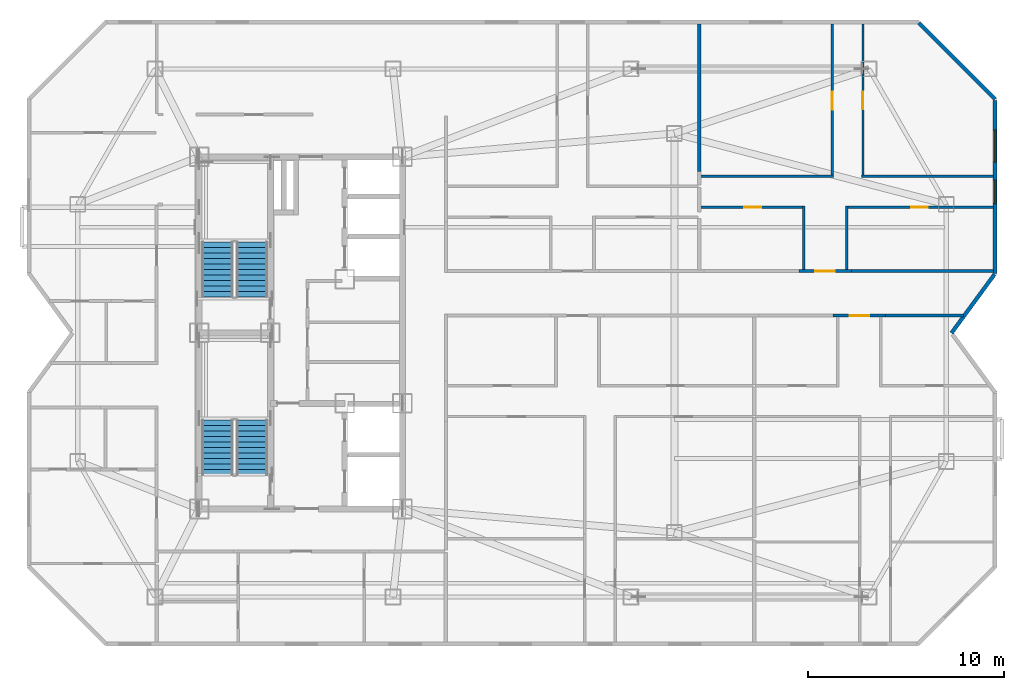
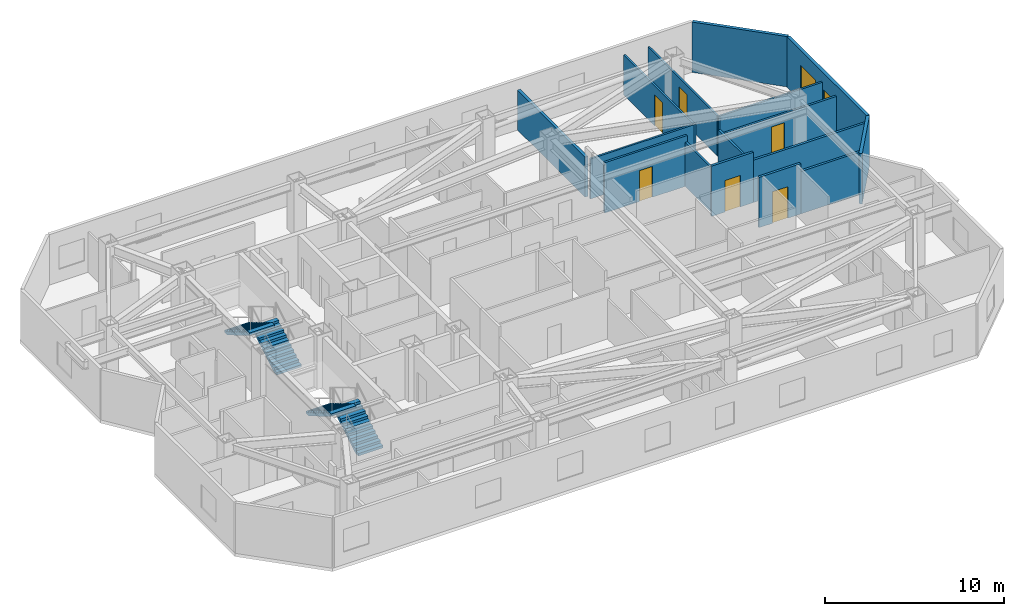
# One storey, part 8 of 9: 16 walls, 6 doors, 4 stair flights, 2 windows, 8 openings, 2 elements without a shape of their own.
"""IFC4 building model written with IfcOpenShell, lengths in metres."""

from ifc_helpers import new_model, si_unit, direction, frame, frame_2d, origin, place, context, subcontext, project, spatial, polyline, rectangle, outline, extrude, material, layer, layer_set, type_object, element, fill, aggregate, save


model = new_model("IFC4")

# Units and contexts
model_context = context("Model", 3, precision=1e-05, world=origin(), true_north=direction((0.0, 1.0)))
body_context = subcontext(model_context, "Body", "Model", "MODEL_VIEW")
ifc_project = project(units=[si_unit("LENGTHUNIT", "METRE"), si_unit("AREAUNIT", "SQUARE_METRE"), si_unit("VOLUMEUNIT", "CUBIC_METRE"), si_unit("PLANEANGLEUNIT", "RADIAN"), si_unit("MASSUNIT", "GRAM", prefix="KILO")], contexts=[model_context])

# Site, building, storey
site_placement = place(None, origin())
site = spatial("IfcSite", under=ifc_project, at=site_placement, CompositionType="ELEMENT")
building_placement = place(site_placement, origin())
building = spatial("IfcBuilding", under=site, at=building_placement, Name="Khamvora Tower", CompositionType="ELEMENT")
storey_placement = place(building_placement, frame((0.0, 0.0, 235.449951171875)))
storey = spatial("IfcBuildingStorey", under=building, at=storey_placement, Name="L60", CompositionType="ELEMENT", Elevation=235.449951171875)

# Wall, opening, door
ifc_material_1 = material(Name="Fire-Rated Drywall and Steel Stud", Category="steel")
ifc_layer_1 = layer(ifc_material_1, 0.14990234375)
ifc_layer_set_1 = layer_set([ifc_layer_1], Name="Fire-Rated Drywall and Steel Stud")
wall_type_1 = type_object("IfcWallType", Name="WAL-CORR-150", PredefinedType="STANDARD", material=ifc_layer_set_1)
wall_1_placement = place(storey_placement, frame((64.10693359375, 28.885009765625, 0.0), z_axis=(0.0, 0.0, 1.0), x_axis=(-1.0, 0.0, 0.0)))
wall_1 = element("IfcWall", 1, at=wall_1_placement, inside=storey, type_object=wall_type_1, Name="L60 interior partition wall 027", PredefinedType="STANDARD", context=body_context, shape_type="SweptSolid", body=[
    extrude(rectangle(XDim=2.698974609375, YDim=0.14990234375, at=frame_2d((1.349609375, 0.0))), origin(), (0.0, 0.0, 1.0), 3.429931640625),
])
opening_1_placement = place(wall_1_placement, frame((0.85009765625, 0.0, 0.0)))
opening_1 = element("IfcOpeningElement", 2, at=opening_1_placement, cuts=wall_1, Name="Opening D-U1", PredefinedType="OPENING", context=body_context, shape_type="SweptSolid", body=[
    extrude(rectangle(XDim=1.0, YDim=2.14990234375, at=frame_2d((0.5, 1.074951171875))), frame((0.0, 0.0849609375, 0.0), z_axis=(0.0, -1.0, 0.0), x_axis=(1.0, 0.0, 0.0)), (0.0, 0.0, 1.0), 0.169921875),
])
ifc_material_2 = material(Name="Powder-Coated Steel and Hardwood Leaf", Category="steel")
door_type_1 = type_object("IfcDoorType", Name="DOR-UNIT-1000", OperationType="NOTDEFINED", PredefinedType="DOOR", material=ifc_material_2)
door_1_placement = place(opening_1_placement, origin())
door_1 = element("IfcDoor", 3, at=door_1_placement, inside=storey, type_object=door_type_1, Name="L60 interior door COR-60EBH", OperationType="SINGLE_SWING_RIGHT", OverallHeight=2.14990234375, OverallWidth=1.0, PredefinedType="DOOR", context=body_context, shape_type="SweptSolid", body=[
    extrude(rectangle(XDim=1.0, YDim=2.14990234375, at=frame_2d((0.5, 1.074951171875))), frame((0.0, 0.02490234375, 0.0), z_axis=(0.0, -1.0, 0.0), x_axis=(1.0, 0.0, 0.0)), (0.0, 0.0, 1.0), 0.050048828125),
])
fill(opening_1, door_1)

# Wall
wall_2_placement = place(storey_placement, frame((68.095947265625, 28.885009765625, 0.0), z_axis=(0.0, 0.0, 1.0), x_axis=(-1.0, 0.0, 0.0)))
element("IfcWall", 4, at=wall_2_placement, inside=storey, type_object=wall_type_1, Name="L60 interior partition wall 029", PredefinedType="STANDARD", context=body_context, shape_type="SweptSolid", body=[
    extrude(rectangle(XDim=3.989013671875, YDim=0.14990234375, at=frame_2d((1.99462890625, 0.0))), origin(), (0.0, 0.0, 1.0), 2.886962890625),
])

# Wall, opening, door
wall_3_placement = place(storey_placement, frame((59.660888671875, 31.1650390625, 0.0), z_axis=(0.0, 0.0, 1.0), x_axis=(1.0, 0.0, 0.0)))
wall_3 = element("IfcWall", 5, at=wall_3_placement, inside=storey, type_object=wall_type_1, Name="L60 interior partition wall 036", PredefinedType="STANDARD", context=body_context, shape_type="SweptSolid", body=[
    extrude(rectangle(XDim=2.697998046875, YDim=0.14990234375, at=frame_2d((1.34912109375, 0.0))), origin(), (0.0, 0.0, 1.0), 3.429931640625),
])
opening_2_placement = place(wall_3_placement, frame((0.84912109375, 0.0, 0.0)))
opening_2 = element("IfcOpeningElement", 6, at=opening_2_placement, cuts=wall_3, Name="Opening D-U1", PredefinedType="OPENING", context=body_context, shape_type="SweptSolid", body=[
    extrude(rectangle(XDim=1.0, YDim=2.14990234375, at=frame_2d((0.5, 1.074951171875))), frame((0.0, 0.0849609375, 0.0), z_axis=(0.0, -1.0, 0.0), x_axis=(1.0, 0.0, 0.0)), (0.0, 0.0, 1.0), 0.169921875),
])
door_2_placement = place(opening_2_placement, origin())
door_2 = element("IfcDoor", 7, at=door_2_placement, inside=storey, type_object=door_type_1, Name="L60 interior door COR-60EC2H", OperationType="SINGLE_SWING_RIGHT", OverallHeight=2.14990234375, OverallWidth=1.0, PredefinedType="DOOR", context=body_context, shape_type="SweptSolid", body=[
    extrude(rectangle(XDim=1.0, YDim=2.14990234375, at=frame_2d((0.5, 1.074951171875))), frame((0.0, 0.02490234375, 0.0), z_axis=(0.0, -1.0, 0.0), x_axis=(1.0, 0.0, 0.0)), (0.0, 0.0, 1.0), 0.050048828125),
])
fill(opening_2, door_2)

# Walls
wall_4_placement = place(storey_placement, frame((62.35888671875, 31.1650390625, 0.0), z_axis=(0.0, 0.0, 1.0), x_axis=(1.0, 0.0, 0.0)))
element("IfcWall", 8, at=wall_4_placement, inside=storey, type_object=wall_type_1, Name="L60 interior partition wall 038", PredefinedType="STANDARD", context=body_context, shape_type="SweptSolid", body=[
    extrude(rectangle(XDim=7.2490234375, YDim=0.14990234375, at=frame_2d((3.62451171875, 0.0))), origin(), (0.0, 0.0, 1.0), 2.886962890625),
])
ifc_material_3 = material(Name="Acoustic Double-Stud Fire Wall", Category="gypsum")
ifc_layer_2 = layer(ifc_material_3, 0.179931640625)
ifc_layer_set_2 = layer_set([ifc_layer_2], Name="Acoustic Double-Stud Fire Wall")
wall_type_2 = type_object("IfcWallType", Name="WAL-CORR-180", PredefinedType="STANDARD", material=ifc_layer_set_2)
wall_5_placement = place(storey_placement, frame((54.56494140625, 43.80810546875, 0.0), z_axis=(0.0, 0.0, 1.0), x_axis=(0.0, -1.0, 0.0)))
element("IfcWall", 9, at=wall_5_placement, inside=storey, type_object=wall_type_2, Name="L60 interior partition wall 096", PredefinedType="STANDARD", context=body_context, shape_type="SweptSolid", body=[
    extrude(rectangle(XDim=7.55517578125, YDim=0.179931640625, at=frame_2d((3.777587890625, 0.0))), origin(), (0.0, 0.0, 1.0), 2.72509765625),
])
ifc_material_4 = material(Name="Precast concrete C40/50", Category="concrete")
ifc_layer_3 = layer(ifc_material_4, 0.199951171875)
ifc_layer_set_3 = layer_set([ifc_layer_3], Name="Precast concrete C40/50")
wall_type_3 = type_object("IfcWallType", Name="WAL-EXT-200", PredefinedType="STANDARD", material=ifc_layer_set_3)
wall_6_placement = place(storey_placement, frame((65.802001953125, 43.85693359375, 0.0), z_axis=(0.0, 0.0, 1.0), x_axis=(0.707106781187, -0.707106781187, 0.0)))
element("IfcWall", 10, at=wall_6_placement, inside=storey, type_object=wall_type_3, Name="L60 exterior facade wall 08.1", PredefinedType="STANDARD", context=body_context, shape_type="SweptSolid", body=[
    extrude(rectangle(XDim=5.512451171875, YDim=0.199951171875, at=frame_2d((2.75634765625, 0.0))), origin(), (0.0, 0.0, 1.0), 3.429931640625),
])

# Wall, openings, windows
wall_7_placement = place(storey_placement, frame((69.699951171875, 39.89599609375, 0.0), z_axis=(0.0, 0.0, 1.0), x_axis=(0.0, -1.0, 0.0)))
wall_7 = element("IfcWall", 11, at=wall_7_placement, inside=storey, type_object=wall_type_3, Name="L60 exterior facade wall 09.1", PredefinedType="STANDARD", context=body_context, shape_type="SweptSolid", body=[
    extrude(rectangle(XDim=8.863037109375, YDim=0.199951171875, at=frame_2d((4.431640625, 0.0))), origin(), (0.0, 0.0, 1.0), 3.429931640625),
])
opening_3_placement = place(wall_7_placement, frame((4.08203125, 0.0, 0.800048828125)))
opening_3 = element("IfcOpeningElement", 12, at=opening_3_placement, cuts=wall_7, Name="Opening WN-03", PredefinedType="OPENING", context=body_context, shape_type="SweptSolid", body=[
    extrude(rectangle(XDim=1.199951171875, YDim=1.5, at=frame_2d((0.60009765625, 0.75))), frame((0.0, 0.10986328125, 0.0), z_axis=(0.0, -1.0, 0.0), x_axis=(1.0, 0.0, 0.0)), (0.0, 0.0, 1.0), 0.219970703125),
])
opening_4_placement = place(wall_7_placement, frame((1.512939453125, 0.0, 0.85009765625)))
opening_4 = element("IfcOpeningElement", 13, at=opening_4_placement, cuts=wall_7, Name="Opening WN-06", PredefinedType="OPENING", context=body_context, shape_type="SweptSolid", body=[
    extrude(rectangle(XDim=1.64990234375, YDim=1.550048828125, at=frame_2d((0.824951171875, 0.77490234375))), frame((0.0, 0.10986328125, 0.0), z_axis=(0.0, -1.0, 0.0), x_axis=(1.0, 0.0, 0.0)), (0.0, 0.0, 1.0), 0.219970703125),
])
ifc_material_5 = material(Name="Low-E Laminated Double Glazing", Category="glass")
window_type_1 = type_object("IfcWindowType", Name="WIN-VIS-1200x1500", PartitioningType="SINGLE_PANEL", PredefinedType="WINDOW", material=ifc_material_5)
window_1_placement = place(opening_3_placement, origin())
window_1 = element("IfcWindow", 14, at=window_1_placement, inside=storey, type_object=window_type_1, Name="L60 vision window 09.1.01", OverallHeight=1.5, OverallWidth=1.199951171875, PartitioningType="SINGLE_PANEL", PredefinedType="WINDOW", context=body_context, shape_type="SweptSolid", body=[
    extrude(rectangle(XDim=1.199951171875, YDim=1.5, at=frame_2d((0.60009765625, 0.75))), frame((0.0, 0.030029296875, 0.0), z_axis=(0.0, -1.0, 0.0), x_axis=(1.0, 0.0, 0.0)), (0.0, 0.0, 1.0), 0.06005859375),
])
fill(opening_3, window_1)
window_type_2 = type_object("IfcWindowType", Name="WIN-VIS-1650x1550", PartitioningType="SINGLE_PANEL", PredefinedType="WINDOW", material=ifc_material_5)
window_2_placement = place(opening_4_placement, origin())
window_2 = element("IfcWindow", 15, at=window_2_placement, inside=storey, type_object=window_type_2, Name="L60 vision window 09.1.02", OverallHeight=1.550048828125, OverallWidth=1.64990234375, PartitioningType="SINGLE_PANEL", PredefinedType="WINDOW", context=body_context, shape_type="SweptSolid", body=[
    extrude(rectangle(XDim=1.64990234375, YDim=1.550048828125, at=frame_2d((0.824951171875, 0.77490234375))), frame((0.0, 0.030029296875, 0.0), z_axis=(0.0, -1.0, 0.0), x_axis=(1.0, 0.0, 0.0)), (0.0, 0.0, 1.0), 0.06005859375),
])
fill(opening_4, window_2)

# Walls
wall_8_placement = place(storey_placement, frame((69.669921875, 30.991943359375, 0.0), z_axis=(0.0, 0.0, 1.0), x_axis=(-0.591320870733, -0.806436375566, 0.0)))
element("IfcWall", 16, at=wall_8_placement, inside=storey, type_object=wall_type_3, Name="L60 exterior facade wall 10.1", PredefinedType="STANDARD", context=body_context, shape_type="SweptSolid", body=[
    extrude(rectangle(XDim=3.7099609375, YDim=0.199951171875, at=frame_2d((1.85498046875, 0.0))), origin(), (0.0, 0.0, 1.0), 3.429931640625),
])
ifc_material_6 = material(Name="Gypsum Plasterboard Partition", Category="gypsum")
ifc_layer_4 = layer(ifc_material_6, 0.1201171875)
ifc_layer_set_4 = layer_set([ifc_layer_4], Name="Gypsum Plasterboard Partition")
wall_type_4 = type_object("IfcWallType", Name="WAL-PART-120", PredefinedType="PARTITIONING", material=ifc_layer_set_4)
wall_9_placement = place(storey_placement, frame((54.64697265625, 36.00390625, 0.0), z_axis=(0.0, 0.0, 1.0), x_axis=(1.0, 0.0, 0.0)))
element("IfcWall", 17, at=wall_9_placement, inside=storey, type_object=wall_type_4, Name="L60 interior partition wall 101", PredefinedType="PARTITIONING", context=body_context, shape_type="SweptSolid", body=[
    extrude(rectangle(XDim=6.79296875, YDim=0.1201171875, at=frame_2d((3.396484375, 0.0))), origin(), (0.0, 0.0, 1.0), 2.72509765625),
])

# Wall, opening, door
wall_10_placement = place(storey_placement, frame((61.375, 35.93896484375, 0.0), z_axis=(0.0, 0.0, 1.0), x_axis=(0.0, 1.0, 0.0)))
wall_10 = element("IfcWall", 18, at=wall_10_placement, inside=storey, type_object=wall_type_4, Name="L60 interior partition wall 102", PredefinedType="PARTITIONING", context=body_context, shape_type="SweptSolid", body=[
    extrude(rectangle(XDim=7.869140625, YDim=0.1201171875, at=frame_2d((3.9345703125, 0.0))), origin(), (0.0, 0.0, 1.0), 2.72509765625),
])
opening_5_placement = place(wall_10_placement, frame((3.48388671875, 0.0, 0.0)))
opening_5 = element("IfcOpeningElement", 19, at=opening_5_placement, cuts=wall_10, Name="Opening D-RM1", PredefinedType="OPENING", context=body_context, shape_type="SweptSolid", body=[
    extrude(rectangle(XDim=0.89990234375, YDim=2.10009765625, at=frame_2d((0.449951171875, 1.050048828125))), frame((0.0, 0.070068359375, 0.0), z_axis=(0.0, -1.0, 0.0), x_axis=(1.0, 0.0, 0.0)), (0.0, 0.0, 1.0), 0.14013671875),
])
door_type_2 = type_object("IfcDoorType", Name="DOR-ROOM-900", OperationType="NOTDEFINED", PredefinedType="DOOR", material=ifc_material_2)
door_3_placement = place(opening_5_placement, origin())
door_3 = element("IfcDoor", 20, at=door_3_placement, inside=storey, type_object=door_type_2, Name="L60 interior door 60EC2H-60EC2R1", OperationType="SINGLE_SWING_RIGHT", OverallHeight=2.10009765625, OverallWidth=0.89990234375, PredefinedType="DOOR", context=body_context, shape_type="SweptSolid", body=[
    extrude(rectangle(XDim=0.89990234375, YDim=2.10009765625, at=frame_2d((0.449951171875, 1.050048828125))), frame((0.0, 0.02490234375, 0.0), z_axis=(0.0, -1.0, 0.0), x_axis=(1.0, 0.0, 0.0)), (0.0, 0.0, 1.0), 0.050048828125),
])
fill(opening_5, door_3)

wall_11_placement = place(storey_placement, frame((62.945068359375, 43.80810546875, 0.0), z_axis=(0.0, 0.0, 1.0), x_axis=(0.0, -1.0, 0.0)))
wall_11 = element("IfcWall", 21, at=wall_11_placement, inside=storey, type_object=wall_type_4, Name="L60 interior partition wall 103", PredefinedType="PARTITIONING", context=body_context, shape_type="SweptSolid", body=[
    extrude(rectangle(XDim=7.869140625, YDim=0.1201171875, at=frame_2d((3.9345703125, 0.0))), origin(), (0.0, 0.0, 1.0), 2.72509765625),
])
opening_6_placement = place(wall_11_placement, frame((3.48388671875, 0.0, 0.0)))
opening_6 = element("IfcOpeningElement", 22, at=opening_6_placement, cuts=wall_11, Name="Opening D-RM1", PredefinedType="OPENING", context=body_context, shape_type="SweptSolid", body=[
    extrude(rectangle(XDim=0.89990234375, YDim=2.10009765625, at=frame_2d((0.449951171875, 1.050048828125))), frame((0.0, 0.070068359375, 0.0), z_axis=(0.0, -1.0, 0.0), x_axis=(1.0, 0.0, 0.0)), (0.0, 0.0, 1.0), 0.14013671875),
])
door_4_placement = place(opening_6_placement, origin())
door_4 = element("IfcDoor", 23, at=door_4_placement, inside=storey, type_object=door_type_2, Name="L60 interior door 60EC2H-60EC2R2", OperationType="SINGLE_SWING_RIGHT", OverallHeight=2.10009765625, OverallWidth=0.89990234375, PredefinedType="DOOR", context=body_context, shape_type="SweptSolid", body=[
    extrude(rectangle(XDim=0.89990234375, YDim=2.10009765625, at=frame_2d((0.449951171875, 1.050048828125))), frame((0.0, 0.02490234375, 0.0), z_axis=(0.0, -1.0, 0.0), x_axis=(1.0, 0.0, 0.0)), (0.0, 0.0, 1.0), 0.050048828125),
])
fill(opening_6, door_4)

# Walls
wall_12_placement = place(storey_placement, frame((62.8798828125, 36.00390625, 0.0), z_axis=(0.0, 0.0, 1.0), x_axis=(1.0, 0.0, 0.0)))
element("IfcWall", 24, at=wall_12_placement, inside=storey, type_object=wall_type_4, Name="L60 interior partition wall 104", PredefinedType="PARTITIONING", context=body_context, shape_type="SweptSolid", body=[
    extrude(rectangle(XDim=6.72802734375, YDim=0.1201171875, at=frame_2d((3.364013671875, 0.0))), origin(), (0.0, 0.0, 1.0), 2.72509765625),
])
ifc_material_7 = material(Name="Moisture-Resistant Plasterboard Partition", Category="gypsum")
ifc_layer_5 = layer(ifc_material_7, 0.135009765625)
ifc_layer_set_5 = layer_set([ifc_layer_5], Name="Moisture-Resistant Plasterboard Partition")
wall_type_5 = type_object("IfcWallType", Name="WAL-WET-135", PredefinedType="PARTITIONING", material=ifc_layer_set_5)
wall_13_placement = place(storey_placement, frame((59.909912109375, 31.22998046875, 0.0), z_axis=(0.0, 0.0, 1.0), x_axis=(0.0, 1.0, 0.0)))
element("IfcWall", 25, at=wall_13_placement, inside=storey, type_object=wall_type_5, Name="L60 interior partition wall 097", PredefinedType="PARTITIONING", context=body_context, shape_type="SweptSolid", body=[
    extrude(rectangle(XDim=3.259033203125, YDim=0.135009765625, at=frame_2d((1.62939453125, 0.0))), origin(), (0.0, 0.0, 1.0), 3.012939453125),
])

# Wall, opening, door
wall_14_placement = place(storey_placement, frame((59.97509765625, 34.424072265625, 0.0), z_axis=(0.0, 0.0, 1.0), x_axis=(-1.0, 0.0, 0.0)))
wall_14 = element("IfcWall", 26, at=wall_14_placement, inside=storey, type_object=wall_type_5, Name="L60 interior partition wall 098", PredefinedType="PARTITIONING", context=body_context, shape_type="SweptSolid", body=[
    extrude(rectangle(XDim=5.328125, YDim=0.135009765625, at=frame_2d((2.6640625, 0.0))), origin(), (0.0, 0.0, 1.0), 3.429931640625),
])
opening_7_placement = place(wall_14_placement, frame((2.239013671875, 0.0, 0.0)))
opening_7 = element("IfcOpeningElement", 27, at=opening_7_placement, cuts=wall_14, Name="Opening D-WC1", PredefinedType="OPENING", context=body_context, shape_type="SweptSolid", body=[
    extrude(rectangle(XDim=0.85009765625, YDim=2.10009765625, at=frame_2d((0.425048828125, 1.050048828125))), frame((0.0, 0.077392578125, 0.0), z_axis=(0.0, -1.0, 0.0), x_axis=(1.0, 0.0, 0.0)), (0.0, 0.0, 1.0), 0.155029296875),
])
door_type_3 = type_object("IfcDoorType", Name="DOR-WET-850", OperationType="NOTDEFINED", PredefinedType="DOOR", material=ifc_material_2)
door_5_placement = place(opening_7_placement, origin())
door_5 = element("IfcDoor", 28, at=door_5_placement, inside=storey, type_object=door_type_3, Name="L60 interior door 60EC2H-60EC2B", OperationType="SINGLE_SWING_RIGHT", OverallHeight=2.10009765625, OverallWidth=0.85009765625, PredefinedType="DOOR", context=body_context, shape_type="SweptSolid", body=[
    extrude(rectangle(XDim=0.85009765625, YDim=2.10009765625, at=frame_2d((0.425048828125, 1.050048828125))), frame((0.0, 0.02490234375, 0.0), z_axis=(0.0, -1.0, 0.0), x_axis=(1.0, 0.0, 0.0)), (0.0, 0.0, 1.0), 0.050048828125),
])
fill(opening_7, door_5)

wall_15_placement = place(storey_placement, frame((69.60791015625, 34.424072265625, 0.0), z_axis=(0.0, 0.0, 1.0), x_axis=(-1.0, 0.0, 0.0)))
wall_15 = element("IfcWall", 29, at=wall_15_placement, inside=storey, type_object=wall_type_5, Name="L60 interior partition wall 099", PredefinedType="PARTITIONING", context=body_context, shape_type="SweptSolid", body=[
    extrude(rectangle(XDim=7.56298828125, YDim=0.135009765625, at=frame_2d((3.781494140625, 0.0))), origin(), (0.0, 0.0, 1.0), 2.72509765625),
])
opening_8_placement = place(wall_15_placement, frame((3.35693359375, 0.0, 0.0)))
opening_8 = element("IfcOpeningElement", 30, at=opening_8_placement, cuts=wall_15, Name="Opening D-RM2", PredefinedType="OPENING", context=body_context, shape_type="SweptSolid", body=[
    extrude(rectangle(XDim=0.85009765625, YDim=2.10009765625, at=frame_2d((0.425048828125, 1.050048828125))), frame((0.0, 0.077392578125, 0.0), z_axis=(0.0, -1.0, 0.0), x_axis=(1.0, 0.0, 0.0)), (0.0, 0.0, 1.0), 0.155029296875),
])
door_type_4 = type_object("IfcDoorType", Name="DOR-ROOM-850", OperationType="NOTDEFINED", PredefinedType="DOOR", material=ifc_material_2)
door_6_placement = place(opening_8_placement, origin())
door_6 = element("IfcDoor", 31, at=door_6_placement, inside=storey, type_object=door_type_4, Name="L60 interior door 60EC2H-60EC2K", OperationType="SINGLE_SWING_RIGHT", OverallHeight=2.10009765625, OverallWidth=0.85009765625, PredefinedType="DOOR", context=body_context, shape_type="SweptSolid", body=[
    extrude(rectangle(XDim=0.85009765625, YDim=2.10009765625, at=frame_2d((0.425048828125, 1.050048828125))), frame((0.0, 0.02490234375, 0.0), z_axis=(0.0, -1.0, 0.0), x_axis=(1.0, 0.0, 0.0)), (0.0, 0.0, 1.0), 0.050048828125),
])
fill(opening_8, door_6)

# Wall
wall_16_placement = place(storey_placement, frame((62.110107421875, 34.489013671875, 0.0), z_axis=(0.0, 0.0, 1.0), x_axis=(0.0, -1.0, 0.0)))
element("IfcWall", 32, at=wall_16_placement, inside=storey, type_object=wall_type_5, Name="L60 interior partition wall 100", PredefinedType="PARTITIONING", context=body_context, shape_type="SweptSolid", body=[
    extrude(rectangle(XDim=3.259033203125, YDim=0.135009765625, at=frame_2d((1.62939453125, 0.0))), origin(), (0.0, 0.0, 1.0), 3.012939453125),
])

# Stair, stair flights
ifc_material_8 = material(Name="Concrete C40/50", Category="concrete")
stair_type_1 = type_object("IfcStairType", Name="STR-ST-01", PredefinedType="HALF_TURN_STAIR", material=ifc_material_8)
stair_1_placement = place(storey_placement, origin())
stair_1 = element("IfcStair", 33, at=stair_1_placement, inside=storey, type_object=stair_type_1, Name="L60 South Tower Exit Stair ST-01", PredefinedType="HALF_TURN_STAIR")
stair_flight_type_1 = type_object("IfcStairFlightType", Name="STF-ST-01", PredefinedType="STRAIGHT", material=ifc_material_8)
stair_flight_1_placement = place(storey_placement, frame((31.699951171875, 20.75, 0.0), z_axis=(0.0, 0.0, 1.0), x_axis=(0.0, 1.0, 0.0)))
stair_flight_1 = element("IfcStairFlight", 34, at=stair_flight_1_placement, type_object=stair_flight_type_1, Name="ST-01 flight 1", NumberOfRisers=11, NumberOfTreads=10, PredefinedType="STRAIGHT", RiserHeight=0.165909091, TreadLength=0.28, context=body_context, shape_type="SweptSolid", body=[
    extrude(outline(polyline([(0.0, 0.0), (0.0, 0.166015625), (0.280029296875, 0.166015625), (0.280029296875, 0.331787109375), (0.56005859375, 0.331787109375), (0.56005859375, 0.497802734375), (0.840087890625, 0.497802734375), (0.840087890625, 0.66357421875), (1.1201171875, 0.66357421875), (1.1201171875, 0.82958984375), (1.39990234375, 0.82958984375), (1.39990234375, 0.995361328125), (1.679931640625, 0.995361328125), (1.679931640625, 1.161376953125), (1.9599609375, 1.161376953125), (1.9599609375, 1.327392578125), (2.239990234375, 1.327392578125), (2.239990234375, 1.4931640625), (2.52001953125, 1.4931640625), (2.52001953125, 1.6591796875), (2.800048828125, 1.6591796875), (2.800048828125, 1.824951171875), (2.800048828125, 1.48486328125), (0.2939453125, 0.0), (0.0, 0.0)])), frame((0.0, 0.800048828125, 0.0), z_axis=(0.0, -1.0, 0.0), x_axis=(1.0, 0.0, 0.0)), (0.0, 0.0, 1.0), 1.60009765625),
])
stair_flight_2_placement = place(storey_placement, frame((29.949951171875, 23.550048828125, 1.824951171875), z_axis=(0.0, 0.0, 1.0), x_axis=(0.0, -1.0, 0.0)))
stair_flight_2 = element("IfcStairFlight", 35, at=stair_flight_2_placement, type_object=stair_flight_type_1, Name="ST-01 flight 2", NumberOfRisers=11, NumberOfTreads=10, PredefinedType="STRAIGHT", RiserHeight=0.165909091, TreadLength=0.28, context=body_context, shape_type="SweptSolid", body=[
    extrude(outline(polyline([(0.0, 0.0), (0.0, 0.166015625), (0.280029296875, 0.166015625), (0.280029296875, 0.331787109375), (0.56005859375, 0.331787109375), (0.56005859375, 0.497802734375), (0.840087890625, 0.497802734375), (0.840087890625, 0.66357421875), (1.1201171875, 0.66357421875), (1.1201171875, 0.82958984375), (1.39990234375, 0.82958984375), (1.39990234375, 0.995361328125), (1.679931640625, 0.995361328125), (1.679931640625, 1.161376953125), (1.9599609375, 1.161376953125), (1.9599609375, 1.327392578125), (2.239990234375, 1.327392578125), (2.239990234375, 1.4931640625), (2.52001953125, 1.4931640625), (2.52001953125, 1.6591796875), (2.800048828125, 1.6591796875), (2.800048828125, 1.824951171875), (2.800048828125, 1.48486328125), (0.2939453125, 0.0), (0.0, 0.0)])), frame((0.0, 0.800048828125, 0.0), z_axis=(0.0, -1.0, 0.0), x_axis=(1.0, 0.0, 0.0)), (0.0, 0.0, 1.0), 1.60009765625),
])
aggregate(stair_1, [stair_flight_1, stair_flight_2])

stair_type_2 = type_object("IfcStairType", Name="STR-ST-02", PredefinedType="HALF_TURN_STAIR", material=ifc_material_8)
stair_2_placement = place(storey_placement, origin())
stair_2 = element("IfcStair", 36, at=stair_2_placement, inside=storey, type_object=stair_type_2, Name="L60 North Tower Exit Stair ST-02", PredefinedType="HALF_TURN_STAIR")
stair_flight_type_2 = type_object("IfcStairFlightType", Name="STF-ST-02", PredefinedType="STRAIGHT", material=ifc_material_8)
stair_flight_3_placement = place(storey_placement, frame((31.699951171875, 29.85009765625, 0.0), z_axis=(0.0, 0.0, 1.0), x_axis=(0.0, 1.0, 0.0)))
stair_flight_3 = element("IfcStairFlight", 37, at=stair_flight_3_placement, type_object=stair_flight_type_2, Name="ST-02 flight 1", NumberOfRisers=11, NumberOfTreads=10, PredefinedType="STRAIGHT", RiserHeight=0.165909091, TreadLength=0.28, context=body_context, shape_type="SweptSolid", body=[
    extrude(outline(polyline([(0.0, 0.0), (0.0, 0.166015625), (0.280029296875, 0.166015625), (0.280029296875, 0.331787109375), (0.56005859375, 0.331787109375), (0.56005859375, 0.497802734375), (0.840087890625, 0.497802734375), (0.840087890625, 0.66357421875), (1.1201171875, 0.66357421875), (1.1201171875, 0.82958984375), (1.39990234375, 0.82958984375), (1.39990234375, 0.995361328125), (1.679931640625, 0.995361328125), (1.679931640625, 1.161376953125), (1.9599609375, 1.161376953125), (1.9599609375, 1.327392578125), (2.239990234375, 1.327392578125), (2.239990234375, 1.4931640625), (2.52001953125, 1.4931640625), (2.52001953125, 1.6591796875), (2.800048828125, 1.6591796875), (2.800048828125, 1.824951171875), (2.800048828125, 1.48486328125), (0.2939453125, 0.0), (0.0, 0.0)])), frame((0.0, 0.800048828125, 0.0), z_axis=(0.0, -1.0, 0.0), x_axis=(1.0, 0.0, 0.0)), (0.0, 0.0, 1.0), 1.60009765625),
])
stair_flight_4_placement = place(storey_placement, frame((29.949951171875, 32.64990234375, 1.824951171875), z_axis=(0.0, 0.0, 1.0), x_axis=(0.0, -1.0, 0.0)))
stair_flight_4 = element("IfcStairFlight", 38, at=stair_flight_4_placement, type_object=stair_flight_type_2, Name="ST-02 flight 2", NumberOfRisers=11, NumberOfTreads=10, PredefinedType="STRAIGHT", RiserHeight=0.165909091, TreadLength=0.28, context=body_context, shape_type="SweptSolid", body=[
    extrude(outline(polyline([(0.0, 0.0), (0.0, 0.166015625), (0.280029296875, 0.166015625), (0.280029296875, 0.331787109375), (0.56005859375, 0.331787109375), (0.56005859375, 0.497802734375), (0.840087890625, 0.497802734375), (0.840087890625, 0.66357421875), (1.1201171875, 0.66357421875), (1.1201171875, 0.82958984375), (1.39990234375, 0.82958984375), (1.39990234375, 0.995361328125), (1.679931640625, 0.995361328125), (1.679931640625, 1.161376953125), (1.9599609375, 1.161376953125), (1.9599609375, 1.327392578125), (2.239990234375, 1.327392578125), (2.239990234375, 1.4931640625), (2.52001953125, 1.4931640625), (2.52001953125, 1.6591796875), (2.800048828125, 1.6591796875), (2.800048828125, 1.824951171875), (2.800048828125, 1.48486328125), (0.2939453125, 0.0), (0.0, 0.0)])), frame((0.0, 0.800048828125, 0.0), z_axis=(0.0, -1.0, 0.0), x_axis=(1.0, 0.0, 0.0)), (0.0, 0.0, 1.0), 1.60009765625),
])
aggregate(stair_2, [stair_flight_3, stair_flight_4])

save(model, "model.ifc")
